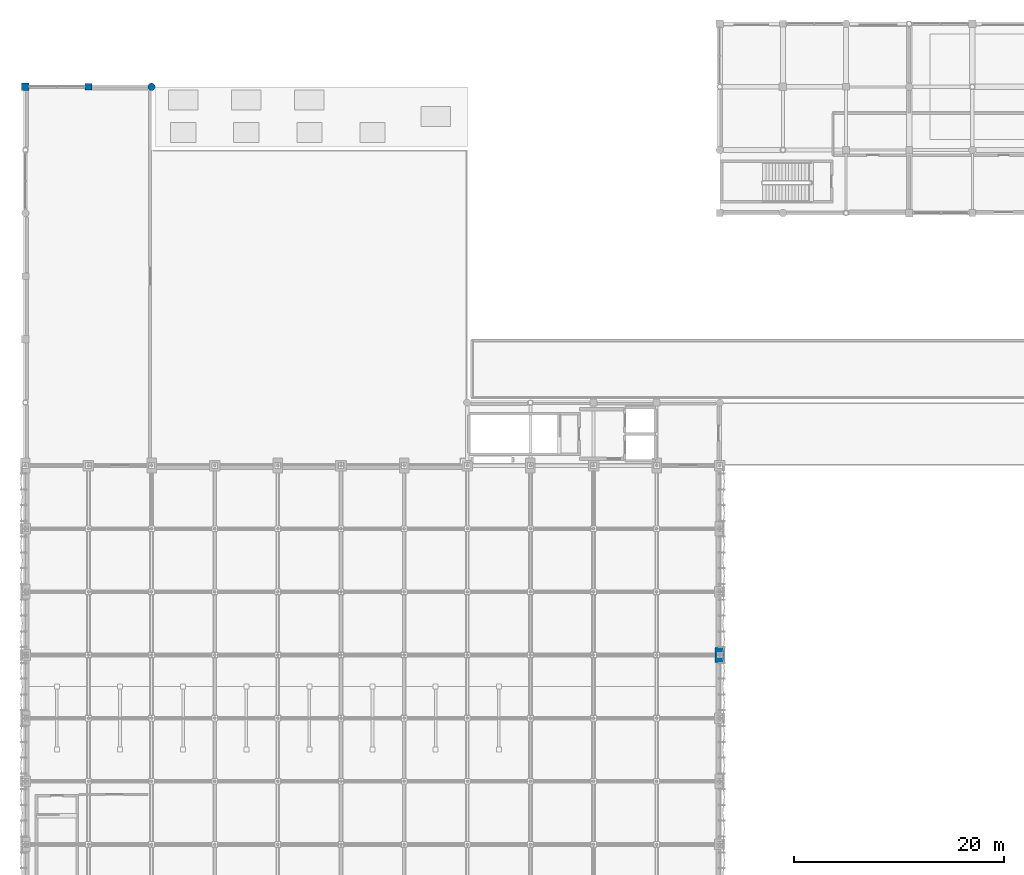
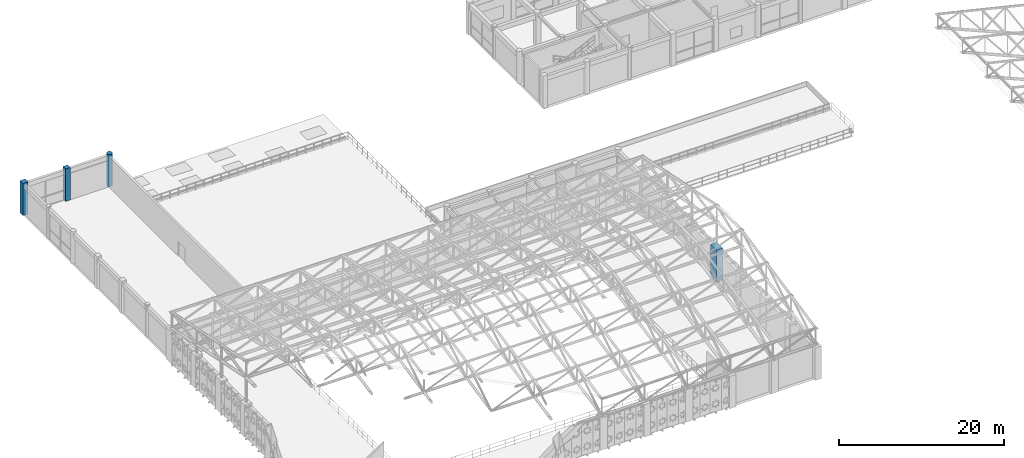
# One storey, part 8 of 112: 4 columns.
"""IFC4 building model written with IfcOpenShell, lengths in metres."""

from ifc_helpers import new_model, si_unit, direction, frame, origin, origin_2d, place, context, subcontext, project, spatial, rectangle, circle, extrude, material, material_profile, profile_set, type_object, element, save


model = new_model("IFC4")

# Units and contexts
model_context = context("Model", 3, precision=1e-05, world=origin(), true_north=direction((0.0, 1.0)))
body_context = subcontext(model_context, "Body", "Model", "MODEL_VIEW")
ifc_project = project(units=[si_unit("LENGTHUNIT", "METRE"), si_unit("AREAUNIT", "SQUARE_METRE"), si_unit("VOLUMEUNIT", "CUBIC_METRE"), si_unit("PLANEANGLEUNIT", "RADIAN"), si_unit("MASSUNIT", "GRAM", prefix="KILO"), si_unit("THERMODYNAMICTEMPERATUREUNIT", "KELVIN"), si_unit("POWERUNIT", "WATT")], contexts=[model_context])

# Site, building, storey
site_placement = place(None, origin())
site = spatial("IfcSite", under=ifc_project, at=site_placement, CompositionType="ELEMENT")
building_placement = place(site_placement, origin())
building = spatial("IfcBuilding", under=site, at=building_placement, Name="Phaisarnlok Congress Hotel", CompositionType="ELEMENT")
storey_placement = place(building_placement, frame((0.0, 0.0, 19.800048828125)))
storey = spatial("IfcBuildingStorey", under=building, at=storey_placement, Name="L04", CompositionType="ELEMENT", Elevation=19.800048828125)

# Columns
ifc_material = material(Name="Concrete C50/60", Category="concrete")
ifc_material_profile_1 = material_profile(ifc_material, rectangle(XDim=0.64990234375, YDim=0.64990234375, at=origin_2d()), Name="RC 650x650")
ifc_profile_set_1 = profile_set([ifc_material_profile_1], Name="Concrete C50/60")
column_type_1 = type_object("IfcColumnType", Name="COL-RC-650", PredefinedType="COLUMN", material=ifc_profile_set_1)
column_1_placement = place(storey_placement, frame((6.0, 120.0, 0.0), z_axis=(0.0, 0.0, 1.0), x_axis=(1.0, 0.0, 0.0)))
element("IfcColumn", 1, at=column_1_placement, inside=storey, type_object=column_type_1, Name="Column C-04 (L04)", PredefinedType="COLUMN", context=body_context, shape_type="SweptSolid", body=[
    extrude(rectangle(XDim=0.64990234375, YDim=0.64990234375, at=origin_2d()), origin(), (0.0, 0.0, 1.0), 4.800048828125),
])
ifc_material_profile_2 = material_profile(ifc_material, rectangle(XDim=0.699951171875, YDim=0.699951171875, at=origin_2d()), Name="RC 700x700")
ifc_profile_set_2 = profile_set([ifc_material_profile_2], Name="Concrete C50/60")
column_type_2 = type_object("IfcColumnType", Name="COL-RC-700-EXT", PredefinedType="COLUMN", material=ifc_profile_set_2)
column_2_placement = place(storey_placement, frame((0.0, 120.0, 0.0), z_axis=(0.0, 0.0, 1.0), x_axis=(1.0, 0.0, 0.0)))
element("IfcColumn", 2, at=column_2_placement, inside=storey, type_object=column_type_2, Name="Column C-05E (L04)", PredefinedType="COLUMN", context=body_context, shape_type="SweptSolid", body=[
    extrude(rectangle(XDim=0.699951171875, YDim=0.699951171875, at=origin_2d()), origin(), (0.0, 0.0, 1.0), 4.800048828125),
])
ifc_material_profile_3 = material_profile(ifc_material, rectangle(XDim=0.89990234375, YDim=1.39990234375, at=origin_2d()), Name="RC 900x1400")
ifc_profile_set_3 = profile_set([ifc_material_profile_3], Name="Concrete C50/60")
column_type_3 = type_object("IfcColumnType", Name="COL-RC-900x1400", PredefinedType="COLUMN", material=ifc_profile_set_3)
column_3_placement = place(storey_placement, frame((66.0, 66.0, 0.0), z_axis=(0.0, 0.0, 1.0), x_axis=(1.0, 0.0, 0.0)))
element("IfcColumn", 3, at=column_3_placement, inside=storey, type_object=column_type_3, Name="Column C-12 (L04)", PredefinedType="COLUMN", context=body_context, shape_type="SweptSolid", body=[
    extrude(rectangle(XDim=0.89990234375, YDim=1.39990234375, at=origin_2d()), origin(), (0.0, 0.0, 1.0), 4.800048828125),
])
ifc_material_profile_4 = material_profile(ifc_material, circle(Radius=0.35009765625, at=origin_2d()), Name="RCC D700")
ifc_profile_set_4 = profile_set([ifc_material_profile_4], Name="Concrete C50/60")
column_type_4 = type_object("IfcColumnType", Name="COL-RCC-700", PredefinedType="COLUMN", material=ifc_profile_set_4)
column_4_placement = place(storey_placement, frame((12.0, 120.0, 0.0), z_axis=(0.0, 0.0, 1.0), x_axis=(1.0, 0.0, 0.0)))
element("IfcColumn", 4, at=column_4_placement, inside=storey, type_object=column_type_4, Name="Column C-13 (L04)", PredefinedType="COLUMN", context=body_context, shape_type="SweptSolid", body=[
    extrude(circle(Radius=0.35009765625, at=origin_2d()), origin(), (0.0, 0.0, 1.0), 4.800048828125),
])

save(model, "model.ifc")
